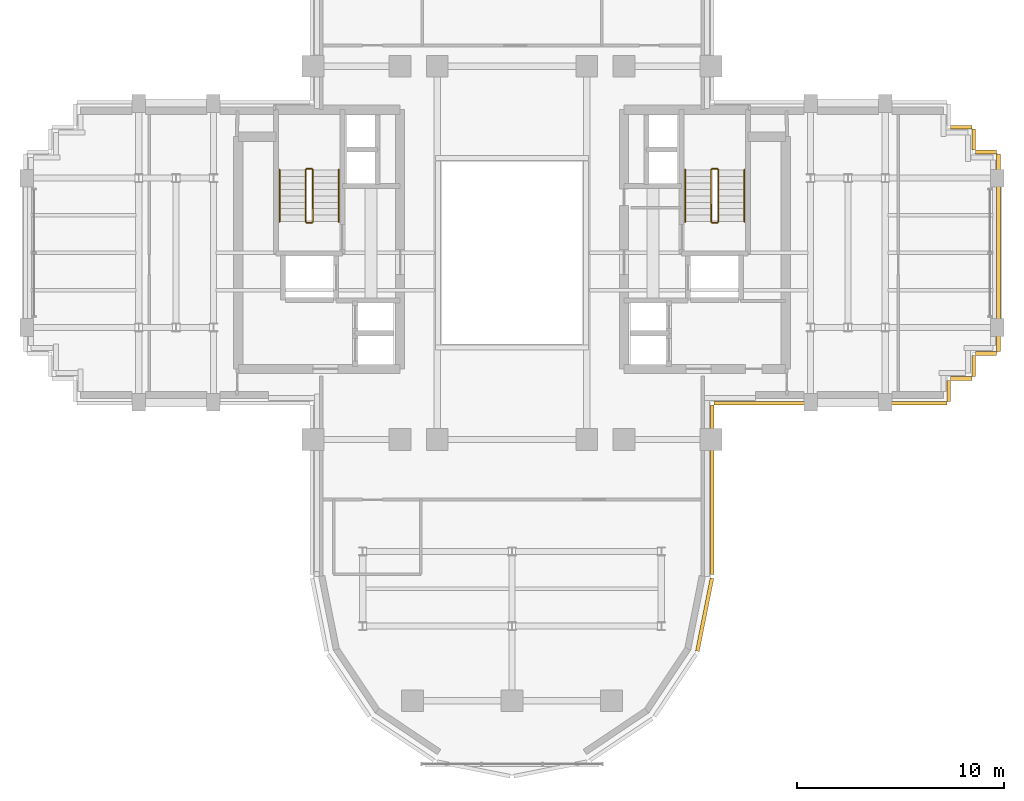
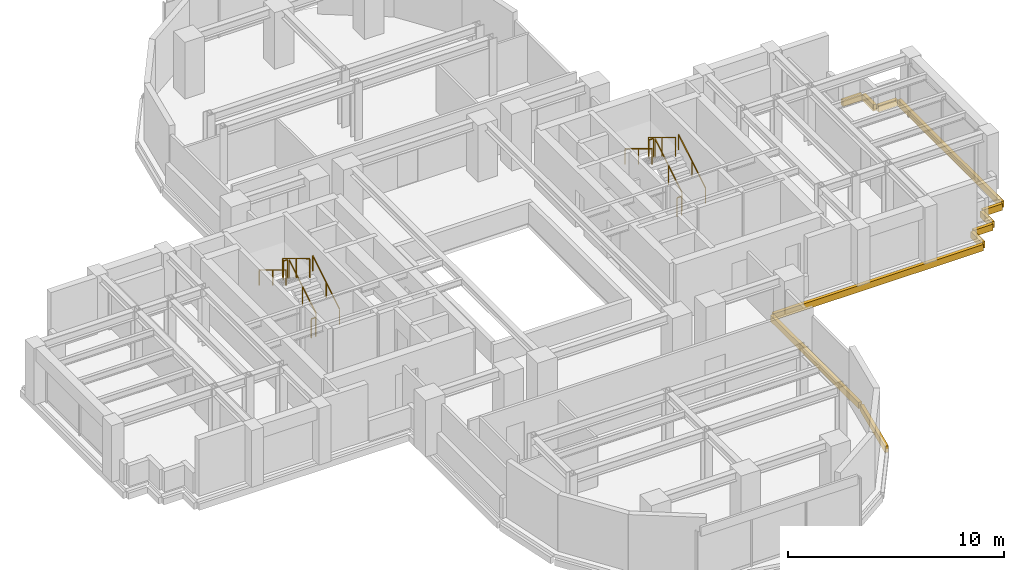
# One storey, part 12 of 13: 12 railings, 11 coverings.
"""IFC4 building model written with IfcOpenShell, lengths in metres."""

from ifc_helpers import new_model, si_unit, direction, frame, origin, origin_2d, place, context, subcontext, project, spatial, rectangle, extrude, source, transform, mapped, material, layer, layer_set, type_object, element, save


model = new_model("IFC4")

# Units and contexts
model_context = context("Model", 3, precision=1e-05, world=origin(), true_north=direction((0.0, 1.0)))
body_context = subcontext(model_context, "Body", "Model", "MODEL_VIEW")
ifc_project = project(units=[si_unit("LENGTHUNIT", "METRE"), si_unit("AREAUNIT", "SQUARE_METRE"), si_unit("VOLUMEUNIT", "CUBIC_METRE"), si_unit("PLANEANGLEUNIT", "RADIAN"), si_unit("MASSUNIT", "GRAM", prefix="KILO")], contexts=[model_context])

# Site, building, storey
site_placement = place(None, origin())
site = spatial("IfcSite", under=ifc_project, at=site_placement, CompositionType="ELEMENT")
building_placement = place(site_placement, origin())
building = spatial("IfcBuilding", under=site, at=building_placement, Name="Keilestroom Media Tower", CompositionType="ELEMENT")
storey_placement = place(building_placement, frame((0.0, 0.0, 138.0)))
storey = spatial("IfcBuildingStorey", under=building, at=storey_placement, Name="L37", CompositionType="ELEMENT", Elevation=138.0)

# Railings
ifc_material_1 = material(Name="Brushed Stainless Steel 1.4301", Category="steel")
railing_type_1 = type_object("IfcRailingType", Name="Stair-Pitch-Handrail-920", PredefinedType="HANDRAIL", material=ifc_material_1)
railing_1_placement = place(storey_placement, frame((-8.35009765625, 1.5, 0.18896484375)))
element("IfcRailing", 1, at=railing_1_placement, inside=storey, type_object=railing_type_1, Name="L37 ST-1 stair handrail 1", PredefinedType="HANDRAIL", context=body_context, shape_type="SweptSolid", body=[
    extrude(rectangle(XDim=0.048095703125, YDim=0.048095703125, at=origin_2d()), frame((0.0, 0.0, 0.8759765625), z_axis=(0.0, 0.855470815493, 0.517851024754), x_axis=(-1.0, 0.0, 0.0)), (0.0, 0.0, 1.0), 2.917724609375),
    extrude(rectangle(XDim=0.0419921875, YDim=0.0419921875, at=origin_2d()), origin(), (0.0, 0.0, 1.0), 0.84375),
    extrude(rectangle(XDim=0.0419921875, YDim=0.0419921875, at=origin_2d()), frame((0.0, 1.248046875, 0.75537109375)), (0.0, 0.0, 1.0), 0.84375),
    extrude(rectangle(XDim=0.0419921875, YDim=0.0419921875, at=origin_2d()), frame((0.0, 2.49609375, 1.510986328125)), (0.0, 0.0, 1.0), 0.84375),
])
railing_2_placement = place(storey_placement, frame((-11.2099609375, 3.99609375, 1.888916015625)))
element("IfcRailing", 2, at=railing_2_placement, inside=storey, type_object=railing_type_1, Name="L37 ST-1 stair handrail 2", PredefinedType="HANDRAIL", context=body_context, shape_type="SweptSolid", body=[
    extrude(rectangle(XDim=0.048095703125, YDim=0.048095703125, at=origin_2d()), frame((0.0, 0.0, 0.8759765625), z_axis=(0.0, -0.855470815493, 0.517851024754), x_axis=(1.0, 0.0, 0.0)), (0.0, 0.0, 1.0), 2.917724609375),
    extrude(rectangle(XDim=0.0419921875, YDim=0.0419921875, at=origin_2d()), origin(), (0.0, 0.0, 1.0), 0.84375),
    extrude(rectangle(XDim=0.0419921875, YDim=0.0419921875, at=origin_2d()), frame((0.0, -1.248046875, 0.75537109375)), (0.0, 0.0, 1.0), 0.84375),
    extrude(rectangle(XDim=0.0419921875, YDim=0.0419921875, at=origin_2d()), frame((0.0, -2.49609375, 1.510986328125)), (0.0, 0.0, 1.0), 0.84375),
])
railing_3_placement = place(storey_placement, frame((11.2099609375, 1.5, 0.18896484375)))
element("IfcRailing", 3, at=railing_3_placement, inside=storey, type_object=railing_type_1, Name="L37 ST-2 stair handrail 1", PredefinedType="HANDRAIL", context=body_context, shape_type="SweptSolid", body=[
    extrude(rectangle(XDim=0.048095703125, YDim=0.048095703125, at=origin_2d()), frame((0.0, 0.0, 0.8759765625), z_axis=(0.0, 0.855470815493, 0.517851024754), x_axis=(-1.0, 0.0, 0.0)), (0.0, 0.0, 1.0), 2.917724609375),
    extrude(rectangle(XDim=0.0419921875, YDim=0.0419921875, at=origin_2d()), origin(), (0.0, 0.0, 1.0), 0.84375),
    extrude(rectangle(XDim=0.0419921875, YDim=0.0419921875, at=origin_2d()), frame((0.0, 1.248046875, 0.75537109375)), (0.0, 0.0, 1.0), 0.84375),
    extrude(rectangle(XDim=0.0419921875, YDim=0.0419921875, at=origin_2d()), frame((0.0, 2.49609375, 1.510986328125)), (0.0, 0.0, 1.0), 0.84375),
])
railing_4_placement = place(storey_placement, frame((8.35009765625, 3.99609375, 1.888916015625)))
element("IfcRailing", 4, at=railing_4_placement, inside=storey, type_object=railing_type_1, Name="L37 ST-2 stair handrail 2", PredefinedType="HANDRAIL", context=body_context, shape_type="SweptSolid", body=[
    extrude(rectangle(XDim=0.048095703125, YDim=0.048095703125, at=origin_2d()), frame((0.0, 0.0, 0.8759765625), z_axis=(0.0, -0.855470815493, 0.517851024754), x_axis=(1.0, 0.0, 0.0)), (0.0, 0.0, 1.0), 2.917724609375),
    extrude(rectangle(XDim=0.0419921875, YDim=0.0419921875, at=origin_2d()), origin(), (0.0, 0.0, 1.0), 0.84375),
    extrude(rectangle(XDim=0.0419921875, YDim=0.0419921875, at=origin_2d()), frame((0.0, -1.248046875, 0.75537109375)), (0.0, 0.0, 1.0), 0.84375),
    extrude(rectangle(XDim=0.0419921875, YDim=0.0419921875, at=origin_2d()), frame((0.0, -2.49609375, 1.510986328125)), (0.0, 0.0, 1.0), 0.84375),
])
ifc_material_2 = material(Name="Painted Steel Balustrade", Category="steel")
railing_type_2 = type_object("IfcRailingType", Name="Stair-Well-And-Landing-Guard-1100", PredefinedType="GUARDRAIL", material=ifc_material_2)
railing_5_placement = place(storey_placement, frame((-9.610107421875, 1.5, 0.18896484375)))
element("IfcRailing", 5, at=railing_5_placement, inside=storey, type_object=railing_type_2, Name="L37 ST-1 stair guard 1", PredefinedType="GUARDRAIL", context=body_context, shape_type="SweptSolid", body=[
    extrude(rectangle(XDim=0.048095703125, YDim=0.048095703125, at=origin_2d()), frame((0.0, 0.0, 1.076171875), z_axis=(0.0, 0.855470815493, 0.517851024754), x_axis=(-1.0, 0.0, 0.0)), (0.0, 0.0, 1.0), 2.917724609375),
    extrude(rectangle(XDim=0.0419921875, YDim=0.0419921875, at=origin_2d()), origin(), (0.0, 0.0, 1.0), 1.0439453125),
    extrude(rectangle(XDim=0.0419921875, YDim=0.0419921875, at=origin_2d()), frame((0.0, 1.248046875, 0.75537109375)), (0.0, 0.0, 1.0), 1.0439453125),
    extrude(rectangle(XDim=0.0419921875, YDim=0.0419921875, at=origin_2d()), frame((0.0, 2.49609375, 1.510986328125)), (0.0, 0.0, 1.0), 1.0439453125),
])
railing_6_placement = place(storey_placement, frame((-9.659912109375, 4.0458984375, 1.699951171875)))
element("IfcRailing", 6, at=railing_6_placement, inside=storey, type_object=railing_type_2, Name="L37 ST-1 stair guard 2", PredefinedType="GUARDRAIL", context=body_context, shape_type="SweptSolid", body=[
    extrude(rectangle(XDim=0.048095703125, YDim=0.048095703125, at=origin_2d()), frame((0.0, 0.0, 1.076171875), z_axis=(-1.0, 0.0, 0.0), x_axis=(0.0, -1.0, 0.0)), (0.0, 0.0, 1.0), 0.239990234375),
    extrude(rectangle(XDim=0.0419921875, YDim=0.0419921875, at=origin_2d()), origin(), (0.0, 0.0, 1.0), 1.0439453125),
    extrude(rectangle(XDim=0.0419921875, YDim=0.0419921875, at=origin_2d()), frame((-0.239990234375, 0.0, 0.0)), (0.0, 0.0, 1.0), 1.0439453125),
])
railing_7_placement = place(storey_placement, frame((-9.949951171875, 3.99609375, 1.888916015625)))
element("IfcRailing", 7, at=railing_7_placement, inside=storey, type_object=railing_type_2, Name="L37 ST-1 stair guard 3", PredefinedType="GUARDRAIL", context=body_context, shape_type="SweptSolid", body=[
    extrude(rectangle(XDim=0.048095703125, YDim=0.048095703125, at=origin_2d()), frame((0.0, 0.0, 1.076171875), z_axis=(0.0, -0.855470815493, 0.517851024754), x_axis=(1.0, 0.0, 0.0)), (0.0, 0.0, 1.0), 2.917724609375),
    extrude(rectangle(XDim=0.0419921875, YDim=0.0419921875, at=origin_2d()), origin(), (0.0, 0.0, 1.0), 1.0439453125),
    extrude(rectangle(XDim=0.0419921875, YDim=0.0419921875, at=origin_2d()), frame((0.0, -1.248046875, 0.75537109375)), (0.0, 0.0, 1.0), 1.0439453125),
    extrude(rectangle(XDim=0.0419921875, YDim=0.0419921875, at=origin_2d()), frame((0.0, -2.49609375, 1.510986328125)), (0.0, 0.0, 1.0), 1.0439453125),
])
railing_8_placement = place(storey_placement, frame((-9.659912109375, 1.449951171875, 0.0)))
element("IfcRailing", 8, at=railing_8_placement, inside=storey, type_object=railing_type_2, Name="L37 ST-1 stair guard 4", PredefinedType="GUARDRAIL", context=body_context, shape_type="SweptSolid", body=[
    extrude(rectangle(XDim=0.048095703125, YDim=0.048095703125, at=origin_2d()), frame((0.0, 0.0, 1.076171875), z_axis=(-1.0, 0.0, 0.0), x_axis=(0.0, -1.0, 0.0)), (0.0, 0.0, 1.0), 0.239990234375),
    extrude(rectangle(XDim=0.0419921875, YDim=0.0419921875, at=origin_2d()), origin(), (0.0, 0.0, 1.0), 1.0439453125),
    extrude(rectangle(XDim=0.0419921875, YDim=0.0419921875, at=origin_2d()), frame((-0.239990234375, 0.0, 0.0)), (0.0, 0.0, 1.0), 1.0439453125),
])
railing_9_placement = place(storey_placement, frame((9.949951171875, 1.5, 0.18896484375)))
element("IfcRailing", 9, at=railing_9_placement, inside=storey, type_object=railing_type_2, Name="L37 ST-2 stair guard 1", PredefinedType="GUARDRAIL", context=body_context, shape_type="SweptSolid", body=[
    extrude(rectangle(XDim=0.048095703125, YDim=0.048095703125, at=origin_2d()), frame((0.0, 0.0, 1.076171875), z_axis=(0.0, 0.855470815493, 0.517851024754), x_axis=(-1.0, 0.0, 0.0)), (0.0, 0.0, 1.0), 2.917724609375),
    extrude(rectangle(XDim=0.0419921875, YDim=0.0419921875, at=origin_2d()), origin(), (0.0, 0.0, 1.0), 1.0439453125),
    extrude(rectangle(XDim=0.0419921875, YDim=0.0419921875, at=origin_2d()), frame((0.0, 1.248046875, 0.75537109375)), (0.0, 0.0, 1.0), 1.0439453125),
    extrude(rectangle(XDim=0.0419921875, YDim=0.0419921875, at=origin_2d()), frame((0.0, 2.49609375, 1.510986328125)), (0.0, 0.0, 1.0), 1.0439453125),
])
railing_10_placement = place(storey_placement, frame((9.89990234375, 4.0458984375, 1.699951171875)))
element("IfcRailing", 10, at=railing_10_placement, inside=storey, type_object=railing_type_2, Name="L37 ST-2 stair guard 2", PredefinedType="GUARDRAIL", context=body_context, shape_type="SweptSolid", body=[
    extrude(rectangle(XDim=0.048095703125, YDim=0.048095703125, at=origin_2d()), frame((0.0, 0.0, 1.076171875), z_axis=(-1.0, 0.0, 0.0), x_axis=(0.0, -1.0, 0.0)), (0.0, 0.0, 1.0), 0.239990234375),
    extrude(rectangle(XDim=0.0419921875, YDim=0.0419921875, at=origin_2d()), origin(), (0.0, 0.0, 1.0), 1.0439453125),
    extrude(rectangle(XDim=0.0419921875, YDim=0.0419921875, at=origin_2d()), frame((-0.239990234375, 0.0, 0.0)), (0.0, 0.0, 1.0), 1.0439453125),
])
railing_11_placement = place(storey_placement, frame((9.610107421875, 3.99609375, 1.888916015625)))
element("IfcRailing", 11, at=railing_11_placement, inside=storey, type_object=railing_type_2, Name="L37 ST-2 stair guard 3", PredefinedType="GUARDRAIL", context=body_context, shape_type="SweptSolid", body=[
    extrude(rectangle(XDim=0.048095703125, YDim=0.048095703125, at=origin_2d()), frame((0.0, 0.0, 1.076171875), z_axis=(0.0, -0.855470815493, 0.517851024754), x_axis=(1.0, 0.0, 0.0)), (0.0, 0.0, 1.0), 2.917724609375),
    extrude(rectangle(XDim=0.0419921875, YDim=0.0419921875, at=origin_2d()), origin(), (0.0, 0.0, 1.0), 1.0439453125),
    extrude(rectangle(XDim=0.0419921875, YDim=0.0419921875, at=origin_2d()), frame((0.0, -1.248046875, 0.75537109375)), (0.0, 0.0, 1.0), 1.0439453125),
    extrude(rectangle(XDim=0.0419921875, YDim=0.0419921875, at=origin_2d()), frame((0.0, -2.49609375, 1.510986328125)), (0.0, 0.0, 1.0), 1.0439453125),
])
railing_12_placement = place(storey_placement, frame((9.89990234375, 1.449951171875, 0.0)))
element("IfcRailing", 12, at=railing_12_placement, inside=storey, type_object=railing_type_2, Name="L37 ST-2 stair guard 4", PredefinedType="GUARDRAIL", context=body_context, shape_type="SweptSolid", body=[
    extrude(rectangle(XDim=0.048095703125, YDim=0.048095703125, at=origin_2d()), frame((0.0, 0.0, 1.076171875), z_axis=(-1.0, 0.0, 0.0), x_axis=(0.0, -1.0, 0.0)), (0.0, 0.0, 1.0), 0.239990234375),
    extrude(rectangle(XDim=0.0419921875, YDim=0.0419921875, at=origin_2d()), origin(), (0.0, 0.0, 1.0), 1.0439453125),
    extrude(rectangle(XDim=0.0419921875, YDim=0.0419921875, at=origin_2d()), frame((-0.239990234375, 0.0, 0.0)), (0.0, 0.0, 1.0), 1.0439453125),
])

# Coverings
ifc_material_3 = material(Name="Precast concrete C40/50", Category="concrete")
ifc_layer = layer(ifc_material_3, 0.1201171875)
ifc_layer_set = layer_set([ifc_layer], Name="Precast concrete C40/50")
covering_type = type_object("IfcCoveringType", Name="Exterior-Precast-Spandrel-Cladding-Panel-120", PredefinedType="CLADDING", material=ifc_layer_set)
shared_shape_1 = source(origin(), body_context, "Body", "SweptSolid", [
    extrude(rectangle(XDim=1.02001953125, YDim=0.179931640625, at=origin_2d()), origin(), (0.0, 0.0, 1.0), 0.360107421875),
])
for number, where, z_axis, x_axis, name in (
    (13, (22.860107421875, -4.860107421875, -0.5400390625), (0.0, 0.0, 1.0), (-1.0, 0.0, 0.0), "L37 Precast Slab-Edge Fascia Cornice 01"),
    (14, (22.260009765625, -5.4599609375, -0.5400390625), (0.0, 0.0, 1.0), (0.0, -1.0, 0.0), "L37 Precast Slab-Edge Fascia Cornice 02"),
    (15, (21.659912109375, -6.06005859375, -0.5400390625), (0.0, 0.0, 1.0), (-1.0, 0.0, 0.0), "L37 Precast Slab-Edge Fascia Cornice 03"),
    (16, (21.06005859375, -6.659912109375, -0.5400390625), (0.0, 0.0, 1.0), (0.0, -1.0, 0.0), "L37 Precast Slab-Edge Fascia Cornice 04"),
    (17, (21.659912109375, 6.06005859375, -0.5400390625), (0.0, 0.0, 1.0), (1.0, 0.0, 0.0), "L37 Precast Slab-Edge Fascia Cornice 39"),
    (18, (22.260009765625, 5.4599609375, -0.5400390625), (0.0, 0.0, 1.0), (0.0, -1.0, 0.0), "L37 Precast Slab-Edge Fascia Cornice 40"),
    (19, (22.860107421875, 4.860107421875, -0.5400390625), (0.0, 0.0, 1.0), (1.0, 0.0, 0.0), "L37 Precast Slab-Edge Fascia Cornice 41"),
):
    element("IfcCovering", number, at=place(storey_placement, frame(where, z_axis=z_axis, x_axis=x_axis)), inside=storey, type_object=covering_type, Name=name, PredefinedType="CLADDING", context=body_context, shape_type="MappedRepresentation", body=[
        mapped(shared_shape_1, transform((0.0, 0.0, 0.0), x_axis=(1.0, 0.0, 0.0), y_axis=(0.0, 1.0, 0.0), z_axis=(0.0, 0.0, 1.0), scale=1.0)),
    ])
shared_shape_2 = source(origin(), body_context, "Body", "SweptSolid", [
    extrude(rectangle(XDim=8.166015625, YDim=0.179931640625, at=origin_2d()), origin(), (0.0, 0.0, 1.0), 0.360107421875),
])
covering_1_placement = place(storey_placement, frame((9.659912109375, -11.43310546875, -0.5400390625), z_axis=(0.0, 0.0, 1.0), x_axis=(0.0, -1.0, 0.0)))
element("IfcCovering", 20, at=covering_1_placement, inside=storey, type_object=covering_type, Name="L37 Precast Slab-Edge Fascia Cornice 06", PredefinedType="CLADDING", context=body_context, shape_type="MappedRepresentation", body=[
    mapped(shared_shape_2, transform((0.0, 0.0, 0.0), x_axis=(1.0, 0.0, 0.0), y_axis=(0.0, 1.0, 0.0), z_axis=(0.0, 0.0, 1.0), scale=1.0)),
])
shared_shape_3 = source(origin(), body_context, "Body", "SweptSolid", [
    extrude(rectangle(XDim=3.58349609375, YDim=0.179931640625, at=origin_2d()), origin(), (0.0, 0.0, 1.0), 0.360107421875),
])
covering_2_placement = place(storey_placement, frame((9.29296875, -17.45166015625, -0.5400390625), z_axis=(0.0, 0.0, 1.0), x_axis=(-0.195098880975, -0.980783577882, 0.0)))
element("IfcCovering", 21, at=covering_2_placement, inside=storey, type_object=covering_type, Name="L37 Precast Slab-Edge Fascia Cornice 07", PredefinedType="CLADDING", context=body_context, shape_type="MappedRepresentation", body=[
    mapped(shared_shape_3, transform((0.0, 0.0, 0.0), x_axis=(1.0, 0.0, 0.0), y_axis=(0.0, 1.0, 0.0), z_axis=(0.0, 0.0, 1.0), scale=1.0)),
])
shared_shape_4 = source(origin(), body_context, "Body", "SweptSolid", [
    extrude(rectangle(XDim=9.5400390625, YDim=0.179931640625, at=origin_2d()), origin(), (0.0, 0.0, 1.0), 0.360107421875),
])
covering_3_placement = place(storey_placement, frame((23.4599609375, 0.0, -0.5400390625), z_axis=(0.0, 0.0, 1.0), x_axis=(0.0, -1.0, 0.0)))
element("IfcCovering", 22, at=covering_3_placement, inside=storey, type_object=covering_type, Name="L37 Precast Slab-Edge Fascia Cornice 42", PredefinedType="CLADDING", context=body_context, shape_type="MappedRepresentation", body=[
    mapped(shared_shape_4, transform((0.0, 0.0, 0.0), x_axis=(1.0, 0.0, 0.0), y_axis=(0.0, 1.0, 0.0), z_axis=(0.0, 0.0, 1.0), scale=1.0)),
])
shared_shape_5 = source(origin(), body_context, "Body", "SweptSolid", [
    extrude(rectangle(XDim=11.219970703125, YDim=0.179931640625, at=origin_2d()), origin(), (0.0, 0.0, 1.0), 0.360107421875),
])
covering_4_placement = place(storey_placement, frame((15.360107421875, -7.260009765625, -0.5400390625), z_axis=(0.0, 0.0, 1.0), x_axis=(-1.0, 0.0, 0.0)))
element("IfcCovering", 23, at=covering_4_placement, inside=storey, type_object=covering_type, Name="L37 Precast Slab-Edge Fascia Cornice 05", PredefinedType="CLADDING", context=body_context, shape_type="MappedRepresentation", body=[
    mapped(shared_shape_5, transform((0.0, 0.0, 0.0), x_axis=(1.0, 0.0, 0.0), y_axis=(0.0, 1.0, 0.0), z_axis=(0.0, 0.0, 1.0), scale=1.0)),
])

save(model, "model.ifc")
